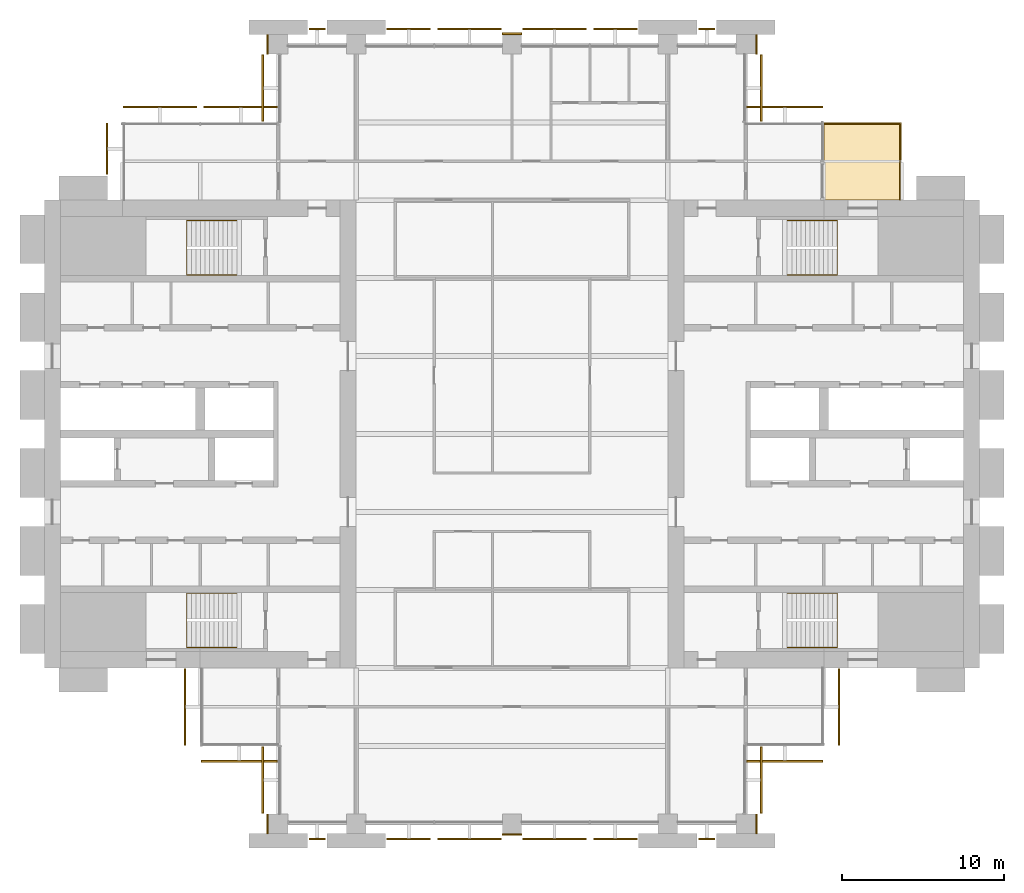
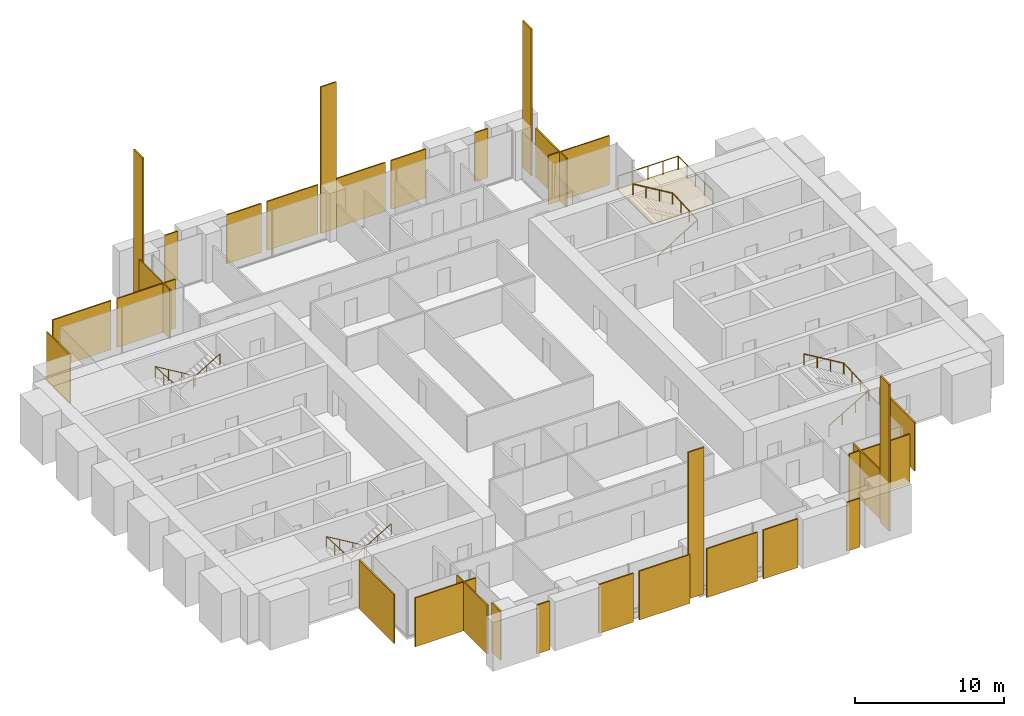
# One storey, part 14 of 14: 31 coverings, 5 railings.
"""IFC4 building model written with IfcOpenShell, lengths in metres."""

from ifc_helpers import new_model, si_unit, direction, frame, origin, origin_2d, place, context, subcontext, project, spatial, polyline, rectangle, circle, outline, extrude, material, layer, layer_set, type_object, element, save


model = new_model("IFC4")

# Units and contexts
model_context = context("Model", 3, precision=1e-05, world=origin(), true_north=direction((0.0, 1.0)))
body_context = subcontext(model_context, "Body", "Model", "MODEL_VIEW")
ifc_project = project(units=[si_unit("LENGTHUNIT", "METRE"), si_unit("AREAUNIT", "SQUARE_METRE"), si_unit("VOLUMEUNIT", "CUBIC_METRE"), si_unit("PLANEANGLEUNIT", "RADIAN"), si_unit("MASSUNIT", "GRAM", prefix="KILO")], contexts=[model_context])

# Site, building, storey
site_placement = place(None, origin())
site = spatial("IfcSite", under=ifc_project, at=site_placement, CompositionType="ELEMENT")
building_placement = place(site_placement, origin())
building = spatial("IfcBuilding", under=site, at=building_placement, Name="Baori Bourse Tower", CompositionType="ELEMENT")
storey_placement = place(building_placement, frame((0.0, 0.0, 144.10009765625)))
storey = spatial("IfcBuildingStorey", under=building, at=storey_placement, Name="L31", CompositionType="ELEMENT", Elevation=144.10009765625)

# Railings
ifc_material_1 = material(Name="Powder-coated steel balustrade", Category="steel")
railing_type_1 = type_object("IfcRailingType", Name="Core stair handrail", PredefinedType="HANDRAIL", material=ifc_material_1)
railing_1_placement = place(storey_placement, frame((11.85009765625, 14.199951171875, 0.16650390625)))
element("IfcRailing", 1, at=railing_1_placement, inside=storey, type_object=railing_type_1, Name="L31 ST1 stair handrail 1", PredefinedType="HANDRAIL", context=body_context, shape_type="SweptSolid", body=[
    extrude(circle(Radius=0.02392578125, at=origin_2d()), frame((0.0, 0.0, 0.8759765625), z_axis=(-0.85927862911, 0.0, 0.511507807912), x_axis=(0.0, -1.0, 0.0)), (0.0, 0.0, 1.0), 3.58447265625),
    extrude(circle(Radius=0.02392578125, at=origin_2d()), frame((-3.080078125, 0.0, 2.70947265625), z_axis=(0.0, -0.998766999029, 0.049643545903), x_axis=(1.0, 0.0, 0.0)), (0.0, 0.0, 1.0), 3.35400390625),
    extrude(circle(Radius=0.02392578125, at=origin_2d()), frame((-3.080078125, -3.349853515625, 2.8759765625), z_axis=(0.85927862911, 0.0, 0.511507807912), x_axis=(0.0, 1.0, 0.0)), (0.0, 0.0, 1.0), 3.58447265625),
    extrude(circle(Radius=0.02099609375, at=origin_2d()), origin(), (0.0, 0.0, 1.0), 0.851806640625),
    extrude(circle(Radius=0.02099609375, at=origin_2d()), frame((-1.026611328125, 0.0, 0.611083984375)), (0.0, 0.0, 1.0), 0.851806640625),
    extrude(circle(Radius=0.02099609375, at=origin_2d()), frame((-2.053466796875, 0.0, 1.222412109375)), (0.0, 0.0, 1.0), 0.851806640625),
    extrude(circle(Radius=0.02099609375, at=origin_2d()), frame((-3.080078125, 0.0, 1.83349609375)), (0.0, 0.0, 1.0), 0.851806640625),
    extrude(circle(Radius=0.02099609375, at=origin_2d()), frame((-3.080078125, -1.11669921875, 1.888916015625)), (0.0, 0.0, 1.0), 0.851806640625),
    extrude(circle(Radius=0.02099609375, at=origin_2d()), frame((-3.080078125, -2.233154296875, 1.944580078125)), (0.0, 0.0, 1.0), 0.851806640625),
    extrude(circle(Radius=0.02099609375, at=origin_2d()), frame((-3.080078125, -3.349853515625, 2.0)), (0.0, 0.0, 1.0), 0.851806640625),
    extrude(circle(Radius=0.02099609375, at=origin_2d()), frame((-2.053466796875, -3.349853515625, 2.611083984375)), (0.0, 0.0, 1.0), 0.851806640625),
    extrude(circle(Radius=0.02099609375, at=origin_2d()), frame((-1.026611328125, -3.349853515625, 3.222412109375)), (0.0, 0.0, 1.0), 0.851806640625),
    extrude(circle(Radius=0.02099609375, at=origin_2d()), frame((0.0, -3.349853515625, 3.83349609375)), (0.0, 0.0, 1.0), 0.851806640625),
])
railing_2_placement = place(storey_placement, frame((11.85009765625, 37.14990234375, 0.16650390625)))
element("IfcRailing", 2, at=railing_2_placement, inside=storey, type_object=railing_type_1, Name="L31 ST2 stair handrail 1", PredefinedType="HANDRAIL", context=body_context, shape_type="SweptSolid", body=[
    extrude(circle(Radius=0.02392578125, at=origin_2d()), frame((0.0, 0.0, 0.8759765625), z_axis=(-0.85927862911, 0.0, 0.511507807912), x_axis=(0.0, -1.0, 0.0)), (0.0, 0.0, 1.0), 3.58447265625),
    extrude(circle(Radius=0.02392578125, at=origin_2d()), frame((-3.080078125, 0.0, 2.70947265625), z_axis=(0.0, -0.998766999029, 0.049643545903), x_axis=(1.0, 0.0, 0.0)), (0.0, 0.0, 1.0), 3.35400390625),
    extrude(circle(Radius=0.02392578125, at=origin_2d()), frame((-3.080078125, -3.349853515625, 2.8759765625), z_axis=(0.85927862911, 0.0, 0.511507807912), x_axis=(0.0, 1.0, 0.0)), (0.0, 0.0, 1.0), 3.58447265625),
    extrude(circle(Radius=0.02099609375, at=origin_2d()), origin(), (0.0, 0.0, 1.0), 0.851806640625),
    extrude(circle(Radius=0.02099609375, at=origin_2d()), frame((-1.026611328125, 0.0, 0.611083984375)), (0.0, 0.0, 1.0), 0.851806640625),
    extrude(circle(Radius=0.02099609375, at=origin_2d()), frame((-2.053466796875, 0.0, 1.222412109375)), (0.0, 0.0, 1.0), 0.851806640625),
    extrude(circle(Radius=0.02099609375, at=origin_2d()), frame((-3.080078125, 0.0, 1.83349609375)), (0.0, 0.0, 1.0), 0.851806640625),
    extrude(circle(Radius=0.02099609375, at=origin_2d()), frame((-3.080078125, -1.11669921875, 1.888916015625)), (0.0, 0.0, 1.0), 0.851806640625),
    extrude(circle(Radius=0.02099609375, at=origin_2d()), frame((-3.080078125, -2.233154296875, 1.944580078125)), (0.0, 0.0, 1.0), 0.851806640625),
    extrude(circle(Radius=0.02099609375, at=origin_2d()), frame((-3.080078125, -3.349853515625, 2.0)), (0.0, 0.0, 1.0), 0.851806640625),
    extrude(circle(Radius=0.02099609375, at=origin_2d()), frame((-2.053466796875, -3.349853515625, 2.611083984375)), (0.0, 0.0, 1.0), 0.851806640625),
    extrude(circle(Radius=0.02099609375, at=origin_2d()), frame((-1.026611328125, -3.349853515625, 3.222412109375)), (0.0, 0.0, 1.0), 0.851806640625),
    extrude(circle(Radius=0.02099609375, at=origin_2d()), frame((0.0, -3.349853515625, 3.83349609375)), (0.0, 0.0, 1.0), 0.851806640625),
])
railing_3_placement = place(storey_placement, frame((45.75, 10.85009765625, 0.16650390625)))
element("IfcRailing", 3, at=railing_3_placement, inside=storey, type_object=railing_type_1, Name="L31 ST3 stair handrail 1", PredefinedType="HANDRAIL", context=body_context, shape_type="SweptSolid", body=[
    extrude(circle(Radius=0.02392578125, at=origin_2d()), frame((0.0, 0.0, 0.8759765625), z_axis=(0.85927862911, 0.0, 0.511507807912), x_axis=(0.0, 1.0, 0.0)), (0.0, 0.0, 1.0), 3.58447265625),
    extrude(circle(Radius=0.02392578125, at=origin_2d()), frame((3.080078125, 0.0, 2.70947265625), z_axis=(0.0, 0.998766999029, 0.049643545903), x_axis=(-1.0, 0.0, 0.0)), (0.0, 0.0, 1.0), 3.35400390625),
    extrude(circle(Radius=0.02392578125, at=origin_2d()), frame((3.080078125, 3.349853515625, 2.8759765625), z_axis=(-0.85927862911, 0.0, 0.511507807912), x_axis=(0.0, -1.0, 0.0)), (0.0, 0.0, 1.0), 3.58447265625),
    extrude(circle(Radius=0.02099609375, at=origin_2d()), origin(), (0.0, 0.0, 1.0), 0.851806640625),
    extrude(circle(Radius=0.02099609375, at=origin_2d()), frame((1.026611328125, 0.0, 0.611083984375)), (0.0, 0.0, 1.0), 0.851806640625),
    extrude(circle(Radius=0.02099609375, at=origin_2d()), frame((2.053466796875, 0.0, 1.222412109375)), (0.0, 0.0, 1.0), 0.851806640625),
    extrude(circle(Radius=0.02099609375, at=origin_2d()), frame((3.080078125, 0.0, 1.83349609375)), (0.0, 0.0, 1.0), 0.851806640625),
    extrude(circle(Radius=0.02099609375, at=origin_2d()), frame((3.080078125, 1.11669921875, 1.888916015625)), (0.0, 0.0, 1.0), 0.851806640625),
    extrude(circle(Radius=0.02099609375, at=origin_2d()), frame((3.080078125, 2.233154296875, 1.944580078125)), (0.0, 0.0, 1.0), 0.851806640625),
    extrude(circle(Radius=0.02099609375, at=origin_2d()), frame((3.080078125, 3.349853515625, 2.0)), (0.0, 0.0, 1.0), 0.851806640625),
    extrude(circle(Radius=0.02099609375, at=origin_2d()), frame((2.053466796875, 3.349853515625, 2.611083984375)), (0.0, 0.0, 1.0), 0.851806640625),
    extrude(circle(Radius=0.02099609375, at=origin_2d()), frame((1.026611328125, 3.349853515625, 3.222412109375)), (0.0, 0.0, 1.0), 0.851806640625),
    extrude(circle(Radius=0.02099609375, at=origin_2d()), frame((0.0, 3.349853515625, 3.83349609375)), (0.0, 0.0, 1.0), 0.851806640625),
])
railing_4_placement = place(storey_placement, frame((45.75, 33.800048828125, 0.16650390625)))
element("IfcRailing", 4, at=railing_4_placement, inside=storey, type_object=railing_type_1, Name="L31 ST4 stair handrail 1", PredefinedType="HANDRAIL", context=body_context, shape_type="SweptSolid", body=[
    extrude(circle(Radius=0.02392578125, at=origin_2d()), frame((0.0, 0.0, 0.8759765625), z_axis=(0.85927862911, 0.0, 0.511507807912), x_axis=(0.0, 1.0, 0.0)), (0.0, 0.0, 1.0), 3.58447265625),
    extrude(circle(Radius=0.02392578125, at=origin_2d()), frame((3.080078125, 0.0, 2.70947265625), z_axis=(0.0, 0.998766999029, 0.049643545903), x_axis=(-1.0, 0.0, 0.0)), (0.0, 0.0, 1.0), 3.35400390625),
    extrude(circle(Radius=0.02392578125, at=origin_2d()), frame((3.080078125, 3.349853515625, 2.8759765625), z_axis=(-0.85927862911, 0.0, 0.511507807912), x_axis=(0.0, -1.0, 0.0)), (0.0, 0.0, 1.0), 3.58447265625),
    extrude(circle(Radius=0.02099609375, at=origin_2d()), origin(), (0.0, 0.0, 1.0), 0.851806640625),
    extrude(circle(Radius=0.02099609375, at=origin_2d()), frame((1.026611328125, 0.0, 0.611083984375)), (0.0, 0.0, 1.0), 0.851806640625),
    extrude(circle(Radius=0.02099609375, at=origin_2d()), frame((2.053466796875, 0.0, 1.222412109375)), (0.0, 0.0, 1.0), 0.851806640625),
    extrude(circle(Radius=0.02099609375, at=origin_2d()), frame((3.080078125, 0.0, 1.83349609375)), (0.0, 0.0, 1.0), 0.851806640625),
    extrude(circle(Radius=0.02099609375, at=origin_2d()), frame((3.080078125, 1.11669921875, 1.888916015625)), (0.0, 0.0, 1.0), 0.851806640625),
    extrude(circle(Radius=0.02099609375, at=origin_2d()), frame((3.080078125, 2.233154296875, 1.944580078125)), (0.0, 0.0, 1.0), 0.851806640625),
    extrude(circle(Radius=0.02099609375, at=origin_2d()), frame((3.080078125, 3.349853515625, 2.0)), (0.0, 0.0, 1.0), 0.851806640625),
    extrude(circle(Radius=0.02099609375, at=origin_2d()), frame((2.053466796875, 3.349853515625, 2.611083984375)), (0.0, 0.0, 1.0), 0.851806640625),
    extrude(circle(Radius=0.02099609375, at=origin_2d()), frame((1.026611328125, 3.349853515625, 3.222412109375)), (0.0, 0.0, 1.0), 0.851806640625),
    extrude(circle(Radius=0.02099609375, at=origin_2d()), frame((0.0, 3.349853515625, 3.83349609375)), (0.0, 0.0, 1.0), 0.851806640625),
])
ifc_material_2 = material(Name="Stainless steel", Category="steel")
railing_type_2 = type_object("IfcRailingType", Name="GD1 Guard", PredefinedType="GUARDRAIL", material=ifc_material_2)
railing_5_placement = place(storey_placement, frame((48.030029296875, 43.10009765625, 0.039794921875)))
element("IfcRailing", 5, at=railing_5_placement, inside=storey, type_object=railing_type_2, Name="Guard terrace NE L31 1", PredefinedType="GUARDRAIL", context=body_context, shape_type="SweptSolid", body=[
    extrude(circle(Radius=0.02392578125, at=origin_2d()), frame((0.0, 0.0, 1.076171875), z_axis=(1.0, 0.0, 0.0), x_axis=(0.0, 1.0, 0.0)), (0.0, 0.0, 1.0), 4.669921875),
    extrude(circle(Radius=0.02392578125, at=origin_2d()), frame((4.669921875, 0.0, 1.076171875), z_axis=(0.0, -1.0, 0.0), x_axis=(1.0, 0.0, 0.0)), (0.0, 0.0, 1.0), 4.670166015625),
    extrude(circle(Radius=0.02099609375, at=origin_2d()), origin(), (0.0, 0.0, 1.0), 1.052001953125),
    extrude(circle(Radius=0.02099609375, at=origin_2d()), frame((1.16748046875, 0.0, 0.0)), (0.0, 0.0, 1.0), 1.052001953125),
    extrude(circle(Radius=0.02099609375, at=origin_2d()), frame((2.3349609375, 0.0, 0.0)), (0.0, 0.0, 1.0), 1.052001953125),
    extrude(circle(Radius=0.02099609375, at=origin_2d()), frame((3.50244140625, 0.0, 0.0)), (0.0, 0.0, 1.0), 1.052001953125),
    extrude(circle(Radius=0.02099609375, at=origin_2d()), frame((4.669921875, 0.0, 0.0)), (0.0, 0.0, 1.0), 1.052001953125),
    extrude(circle(Radius=0.02099609375, at=origin_2d()), frame((4.669921875, -1.16748046875, 0.0)), (0.0, 0.0, 1.0), 1.052001953125),
    extrude(circle(Radius=0.02099609375, at=origin_2d()), frame((4.669921875, -2.3349609375, 0.0)), (0.0, 0.0, 1.0), 1.052001953125),
    extrude(circle(Radius=0.02099609375, at=origin_2d()), frame((4.669921875, -3.502685546875, 0.0)), (0.0, 0.0, 1.0), 1.052001953125),
    extrude(circle(Radius=0.02099609375, at=origin_2d()), frame((4.669921875, -4.670166015625, 0.0)), (0.0, 0.0, 1.0), 1.052001953125),
])

# Coverings
ifc_material_3 = material(Name="Pale anodised aluminium", Category="aluminium")
ifc_layer_1 = layer(ifc_material_3, 0.10009765625)
ifc_layer_set_1 = layer_set([ifc_layer_1], Name="OS3 Outer skin screen panel")
covering_type_1 = type_object("IfcCoveringType", Name="OS3 Outer skin screen panel", PredefinedType="CLADDING", material=ifc_layer_set_1)
covering_1_placement = place(storey_placement, frame((0.0, 0.0, -0.16015625)))
element("IfcCovering", 6, at=covering_1_placement, inside=storey, type_object=covering_type_1, Name="Outer skin screen L31 1", PredefinedType="CLADDING", context=body_context, shape_type="SweptSolid", body=[
    extrude(outline(polyline([(43.25, 44.10009765625), (47.949951171875, 44.10009765625), (47.949951171875, 44.199951171875), (43.25, 44.199951171875), (43.25, 44.10009765625)])), origin(), (0.0, 0.0, 1.0), 4.0),
])
covering_2_placement = place(storey_placement, frame((0.0, 0.0, -0.16015625)))
element("IfcCovering", 7, at=covering_2_placement, inside=storey, type_object=covering_type_1, Name="Outer skin screen L31 2", PredefinedType="CLADDING", context=body_context, shape_type="SweptSolid", body=[
    extrude(outline(polyline([(44.10009765625, 47.35009765625), (44.10009765625, 43.25), (44.199951171875, 43.25), (44.199951171875, 47.35009765625), (44.10009765625, 47.35009765625)])), origin(), (0.0, 0.0, 1.0), 4.0),
])
covering_3_placement = place(storey_placement, frame((0.0, 0.0, -0.16015625)))
element("IfcCovering", 8, at=covering_3_placement, inside=storey, type_object=covering_type_1, Name="Outer skin screen L31 3", PredefinedType="CLADDING", context=body_context, shape_type="SweptSolid", body=[
    extrude(outline(polyline([(40.300048828125, 48.89990234375), (41.300048828125, 48.89990234375), (41.300048828125, 49.0), (40.300048828125, 49.0), (40.300048828125, 48.89990234375)])), origin(), (0.0, 0.0, 1.0), 4.0),
])
covering_4_placement = place(storey_placement, frame((0.0, 0.0, -0.16015625)))
element("IfcCovering", 9, at=covering_4_placement, inside=storey, type_object=covering_type_1, Name="Outer skin screen L31 4", PredefinedType="CLADDING", context=body_context, shape_type="SweptSolid", body=[
    extrude(outline(polyline([(33.824951171875, 48.89990234375), (36.5, 48.89990234375), (36.5, 49.0), (33.824951171875, 49.0), (33.824951171875, 48.89990234375)])), origin(), (0.0, 0.0, 1.0), 4.0),
])
covering_5_placement = place(storey_placement, frame((0.0, 0.0, -0.16015625)))
element("IfcCovering", 10, at=covering_5_placement, inside=storey, type_object=covering_type_1, Name="Outer skin screen L31 5", PredefinedType="CLADDING", context=body_context, shape_type="SweptSolid", body=[
    extrude(outline(polyline([(29.449951171875, 48.89990234375), (33.375, 48.89990234375), (33.375, 49.0), (29.449951171875, 49.0), (29.449951171875, 48.89990234375)])), origin(), (0.0, 0.0, 1.0), 4.0),
])
covering_6_placement = place(storey_placement, frame((0.0, 0.0, -0.16015625)))
element("IfcCovering", 11, at=covering_6_placement, inside=storey, type_object=covering_type_1, Name="Outer skin screen L31 6", PredefinedType="CLADDING", context=body_context, shape_type="SweptSolid", body=[
    extrude(outline(polyline([(24.22509765625, 48.89990234375), (28.14990234375, 48.89990234375), (28.14990234375, 49.0), (24.22509765625, 49.0), (24.22509765625, 48.89990234375)])), origin(), (0.0, 0.0, 1.0), 4.0),
])
covering_7_placement = place(storey_placement, frame((0.0, 0.0, -0.16015625)))
element("IfcCovering", 12, at=covering_7_placement, inside=storey, type_object=covering_type_1, Name="Outer skin screen L31 7", PredefinedType="CLADDING", context=body_context, shape_type="SweptSolid", body=[
    extrude(outline(polyline([(21.10009765625, 48.89990234375), (23.77490234375, 48.89990234375), (23.77490234375, 49.0), (21.10009765625, 49.0), (21.10009765625, 48.89990234375)])), origin(), (0.0, 0.0, 1.0), 4.0),
])
covering_8_placement = place(storey_placement, frame((0.0, 0.0, -0.16015625)))
element("IfcCovering", 13, at=covering_8_placement, inside=storey, type_object=covering_type_1, Name="Outer skin screen L31 8", PredefinedType="CLADDING", context=body_context, shape_type="SweptSolid", body=[
    extrude(outline(polyline([(16.300048828125, 48.89990234375), (17.300048828125, 48.89990234375), (17.300048828125, 49.0), (16.300048828125, 49.0), (16.300048828125, 48.89990234375)])), origin(), (0.0, 0.0, 1.0), 4.0),
])
covering_9_placement = place(storey_placement, frame((0.0, 0.0, -0.16015625)))
element("IfcCovering", 14, at=covering_9_placement, inside=storey, type_object=covering_type_1, Name="Outer skin screen L31 9", PredefinedType="CLADDING", context=body_context, shape_type="SweptSolid", body=[
    extrude(outline(polyline([(13.5, 43.25), (13.5, 47.35009765625), (13.39990234375, 47.35009765625), (13.39990234375, 43.25), (13.5, 43.25)])), origin(), (0.0, 0.0, 1.0), 4.0),
])
covering_10_placement = place(storey_placement, frame((0.0, 0.0, -0.16015625)))
element("IfcCovering", 15, at=covering_10_placement, inside=storey, type_object=covering_type_1, Name="Outer skin screen L31 10", PredefinedType="CLADDING", context=body_context, shape_type="SweptSolid", body=[
    extrude(outline(polyline([(9.824951171875, 44.10009765625), (14.35009765625, 44.10009765625), (14.35009765625, 44.199951171875), (9.824951171875, 44.199951171875), (9.824951171875, 44.10009765625)])), origin(), (0.0, 0.0, 1.0), 4.0),
])
covering_11_placement = place(storey_placement, frame((0.0, 0.0, -0.16015625)))
element("IfcCovering", 16, at=covering_11_placement, inside=storey, type_object=covering_type_1, Name="Outer skin screen L31 11", PredefinedType="CLADDING", context=body_context, shape_type="SweptSolid", body=[
    extrude(outline(polyline([(4.85009765625, 44.10009765625), (9.375, 44.10009765625), (9.375, 44.199951171875), (4.85009765625, 44.199951171875), (4.85009765625, 44.10009765625)])), origin(), (0.0, 0.0, 1.0), 4.0),
])
covering_12_placement = place(storey_placement, frame((0.0, 0.0, -0.16015625)))
element("IfcCovering", 17, at=covering_12_placement, inside=storey, type_object=covering_type_1, Name="Outer skin screen L31 12", PredefinedType="CLADDING", context=body_context, shape_type="SweptSolid", body=[
    extrude(outline(polyline([(3.89990234375, 40.0), (3.89990234375, 43.14990234375), (3.800048828125, 43.14990234375), (3.800048828125, 40.0), (3.89990234375, 40.0), (3.89990234375, 40.0)])), origin(), (0.0, 0.0, 1.0), 4.0),
])
covering_13_placement = place(storey_placement, frame((0.0, 0.0, -0.16015625)))
element("IfcCovering", 18, at=covering_13_placement, inside=storey, type_object=covering_type_1, Name="Outer skin screen L31 13", PredefinedType="CLADDING", context=body_context, shape_type="SweptSolid", body=[
    extrude(outline(polyline([(8.699951171875, 4.85009765625), (8.699951171875, 9.550048828125), (8.60009765625, 9.550048828125), (8.60009765625, 4.85009765625), (8.699951171875, 4.85009765625)])), origin(), (0.0, 0.0, 1.0), 4.0),
])
covering_14_placement = place(storey_placement, frame((0.0, 0.0, -0.16015625)))
element("IfcCovering", 19, at=covering_14_placement, inside=storey, type_object=covering_type_1, Name="Outer skin screen L31 14", PredefinedType="CLADDING", context=body_context, shape_type="SweptSolid", body=[
    extrude(outline(polyline([(14.35009765625, 3.89990234375), (9.64990234375, 3.89990234375), (9.64990234375, 3.800048828125), (14.35009765625, 3.800048828125), (14.35009765625, 3.89990234375)])), origin(), (0.0, 0.0, 1.0), 4.0),
])
covering_15_placement = place(storey_placement, frame((0.0, 0.0, -0.16015625)))
element("IfcCovering", 20, at=covering_15_placement, inside=storey, type_object=covering_type_1, Name="Outer skin screen L31 15", PredefinedType="CLADDING", context=body_context, shape_type="SweptSolid", body=[
    extrude(outline(polyline([(13.5, 0.64990234375), (13.5, 4.75), (13.39990234375, 4.75), (13.39990234375, 0.64990234375), (13.5, 0.64990234375)])), origin(), (0.0, 0.0, 1.0), 4.0),
])
covering_16_placement = place(storey_placement, frame((0.0, 0.0, -0.16015625)))
element("IfcCovering", 21, at=covering_16_placement, inside=storey, type_object=covering_type_1, Name="Outer skin screen L31 16", PredefinedType="CLADDING", context=body_context, shape_type="SweptSolid", body=[
    extrude(outline(polyline([(17.300048828125, -0.89990234375), (16.300048828125, -0.89990234375), (16.300048828125, -1.0), (17.300048828125, -1.0), (17.300048828125, -0.89990234375)])), origin(), (0.0, 0.0, 1.0), 4.0),
])
covering_17_placement = place(storey_placement, frame((0.0, 0.0, -0.16015625)))
element("IfcCovering", 22, at=covering_17_placement, inside=storey, type_object=covering_type_1, Name="Outer skin screen L31 17", PredefinedType="CLADDING", context=body_context, shape_type="SweptSolid", body=[
    extrude(outline(polyline([(23.77490234375, -0.89990234375), (21.10009765625, -0.89990234375), (21.10009765625, -1.0), (23.77490234375, -1.0), (23.77490234375, -0.89990234375)])), origin(), (0.0, 0.0, 1.0), 4.0),
])
covering_18_placement = place(storey_placement, frame((0.0, 0.0, -0.16015625)))
element("IfcCovering", 23, at=covering_18_placement, inside=storey, type_object=covering_type_1, Name="Outer skin screen L31 18", PredefinedType="CLADDING", context=body_context, shape_type="SweptSolid", body=[
    extrude(outline(polyline([(28.14990234375, -0.89990234375), (24.22509765625, -0.89990234375), (24.22509765625, -1.0), (28.14990234375, -1.0), (28.14990234375, -0.89990234375)])), origin(), (0.0, 0.0, 1.0), 4.0),
])
covering_19_placement = place(storey_placement, frame((0.0, 0.0, -0.16015625)))
element("IfcCovering", 24, at=covering_19_placement, inside=storey, type_object=covering_type_1, Name="Outer skin screen L31 19", PredefinedType="CLADDING", context=body_context, shape_type="SweptSolid", body=[
    extrude(outline(polyline([(33.375, -0.89990234375), (29.449951171875, -0.89990234375), (29.449951171875, -1.0), (33.375, -1.0), (33.375, -0.89990234375)])), origin(), (0.0, 0.0, 1.0), 4.0),
])
covering_20_placement = place(storey_placement, frame((0.0, 0.0, -0.16015625)))
element("IfcCovering", 25, at=covering_20_placement, inside=storey, type_object=covering_type_1, Name="Outer skin screen L31 20", PredefinedType="CLADDING", context=body_context, shape_type="SweptSolid", body=[
    extrude(outline(polyline([(36.5, -0.89990234375), (33.824951171875, -0.89990234375), (33.824951171875, -1.0), (36.5, -1.0), (36.5, -0.89990234375)])), origin(), (0.0, 0.0, 1.0), 4.0),
])
covering_21_placement = place(storey_placement, frame((0.0, 0.0, -0.16015625)))
element("IfcCovering", 26, at=covering_21_placement, inside=storey, type_object=covering_type_1, Name="Outer skin screen L31 21", PredefinedType="CLADDING", context=body_context, shape_type="SweptSolid", body=[
    extrude(outline(polyline([(41.300048828125, -0.89990234375), (40.300048828125, -0.89990234375), (40.300048828125, -1.0), (41.300048828125, -1.0), (41.300048828125, -0.89990234375)])), origin(), (0.0, 0.0, 1.0), 4.0),
])
covering_22_placement = place(storey_placement, frame((0.0, 0.0, -0.16015625)))
element("IfcCovering", 27, at=covering_22_placement, inside=storey, type_object=covering_type_1, Name="Outer skin screen L31 22", PredefinedType="CLADDING", context=body_context, shape_type="SweptSolid", body=[
    extrude(outline(polyline([(44.10009765625, 4.75), (44.10009765625, 0.64990234375), (44.199951171875, 0.64990234375), (44.199951171875, 4.75), (44.10009765625, 4.75)])), origin(), (0.0, 0.0, 1.0), 4.0),
])
covering_23_placement = place(storey_placement, frame((0.0, 0.0, -0.16015625)))
element("IfcCovering", 28, at=covering_23_placement, inside=storey, type_object=covering_type_1, Name="Outer skin screen L31 23", PredefinedType="CLADDING", context=body_context, shape_type="SweptSolid", body=[
    extrude(outline(polyline([(47.949951171875, 3.89990234375), (43.25, 3.89990234375), (43.25, 3.800048828125), (47.949951171875, 3.800048828125), (47.949951171875, 3.89990234375)])), origin(), (0.0, 0.0, 1.0), 4.0),
])
covering_24_placement = place(storey_placement, frame((0.0, 0.0, -0.16015625)))
element("IfcCovering", 29, at=covering_24_placement, inside=storey, type_object=covering_type_1, Name="Outer skin screen L31 24", PredefinedType="CLADDING", context=body_context, shape_type="SweptSolid", body=[
    extrude(outline(polyline([(48.89990234375, 9.550048828125), (48.89990234375, 4.85009765625), (49.0, 4.85009765625), (49.0, 9.550048828125), (48.89990234375, 9.550048828125)])), origin(), (0.0, 0.0, 1.0), 4.0),
])
ifc_material_4 = material(Name="Face brick", Category="masonry")
ifc_layer_2 = layer(ifc_material_4, 0.110107421875)
ifc_layer_set_2 = layer_set([ifc_layer_2], Name="PC1 Brick pier facing")
covering_type_2 = type_object("IfcCoveringType", Name="PC1 Brick pier facing", PredefinedType="CLADDING", material=ifc_layer_set_2)
covering_25_placement = place(storey_placement, frame((13.7451171875, 0.0, 0.0), z_axis=(0.0, 0.0, 1.0), x_axis=(1.0, 0.0, 0.0)))
element("IfcCovering", 30, at=covering_25_placement, inside=storey, type_object=covering_type_2, Name="Brick pier facing L31 1", PredefinedType="CLADDING", context=body_context, shape_type="SweptSolid", body=[
    extrude(rectangle(XDim=0.110107421875, YDim=1.199951171875, at=origin_2d()), origin(), (0.0, 0.0, 1.0), 4.0),
])
covering_26_placement = place(storey_placement, frame((28.800048828125, -0.655029296875, 0.0), z_axis=(0.0, 0.0, 1.0), x_axis=(1.0, 0.0, 0.0)))
element("IfcCovering", 31, at=covering_26_placement, inside=storey, type_object=covering_type_2, Name="Brick pier facing L31 2", PredefinedType="CLADDING", context=body_context, shape_type="SweptSolid", body=[
    extrude(rectangle(XDim=1.199951171875, YDim=0.110107421875, at=origin_2d()), origin(), (0.0, 0.0, 1.0), 12.0),
])
for number, where, z_axis, x_axis, name in (
    (32, (43.85498046875, 0.0, 0.0), (0.0, 0.0, 1.0), (1.0, 0.0, 0.0), "Brick pier facing L31 3"),
    (33, (13.7451171875, 48.0, 0.0), (0.0, 0.0, 1.0), (1.0, 0.0, 0.0), "Brick pier facing L31 4"),
):
    element("IfcCovering", number, at=place(storey_placement, frame(where, z_axis=z_axis, x_axis=x_axis)), inside=storey, type_object=covering_type_2, Name=name, PredefinedType="CLADDING", context=body_context, shape_type="SweptSolid", body=[
        extrude(rectangle(XDim=0.110107421875, YDim=1.199951171875, at=origin_2d()), origin(), (0.0, 0.0, 1.0), 12.0),
    ])
covering_27_placement = place(storey_placement, frame((28.800048828125, 48.655029296875, 0.0), z_axis=(0.0, 0.0, 1.0), x_axis=(1.0, 0.0, 0.0)))
element("IfcCovering", 34, at=covering_27_placement, inside=storey, type_object=covering_type_2, Name="Brick pier facing L31 5", PredefinedType="CLADDING", context=body_context, shape_type="SweptSolid", body=[
    extrude(rectangle(XDim=1.199951171875, YDim=0.110107421875, at=origin_2d()), origin(), (0.0, 0.0, 1.0), 12.0),
])
covering_28_placement = place(storey_placement, frame((43.85498046875, 48.0, 0.0), z_axis=(0.0, 0.0, 1.0), x_axis=(1.0, 0.0, 0.0)))
element("IfcCovering", 35, at=covering_28_placement, inside=storey, type_object=covering_type_2, Name="Brick pier facing L31 6", PredefinedType="CLADDING", context=body_context, shape_type="SweptSolid", body=[
    extrude(rectangle(XDim=0.110107421875, YDim=1.199951171875, at=origin_2d()), origin(), (0.0, 0.0, 1.0), 12.0),
])
ifc_material_5 = material(Name="Granite paving", Category="masonry")
ifc_layer_3 = layer(ifc_material_5, 0.0400390625)
ifc_layer_set_3 = layer_set([ifc_layer_3], Name="PV1 Deck paving")
covering_type_3 = type_object("IfcCoveringType", Name="PV1 Deck paving", PredefinedType="FLOORING", material=ifc_layer_set_3)
covering_29_placement = place(storey_placement, origin())
element("IfcCovering", 36, at=covering_29_placement, inside=storey, type_object=covering_type_3, Name="Terrace paving L31 1", PredefinedType="FLOORING", context=body_context, shape_type="SweptSolid", body=[
    extrude(outline(polyline([(48.0, 38.39990234375), (52.800048828125, 38.39990234375), (52.800048828125, 43.199951171875), (48.0, 43.199951171875), (48.0, 38.39990234375)])), origin(), (0.0, 0.0, 1.0), 0.039794921875),
])

save(model, "model.ifc")
